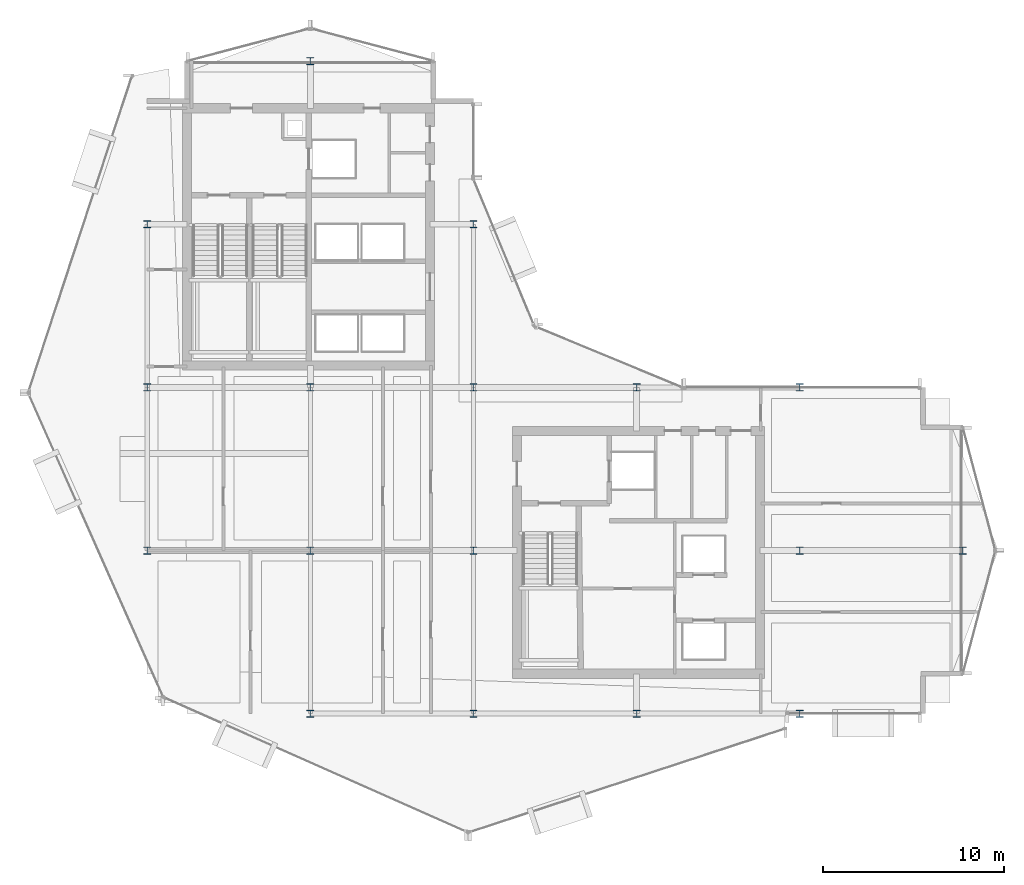
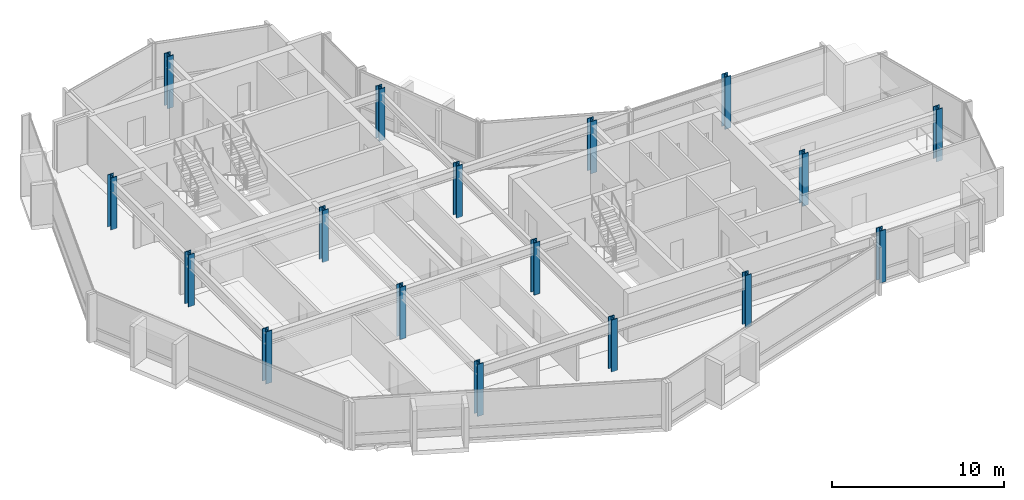
# One storey, part 1 of 27: 17 columns.
"""IFC4 building model written with IfcOpenShell, lengths in metres."""

import ifcopenshell
import ifcopenshell.guid

model = None  # the IFC model being written
_history = None  # IfcOwnerHistory: only IFC2X3 demands one
_inside = {}  # id of a spatial element -> (the spatial element, [elements in it])
_under = {}  # id of a project, library or spatial element -> (it, [spatial elements below it])
_declared = {}  # id of a project -> (the project, [libraries it declares])
_typed = {}  # id of a type object -> (the type object, [elements of that type])
_made_of = {}  # id of a material, layer set ... -> (it, [elements and type objects made of it])


def new_model(schema):
    """Start an empty IFC model of exactly this schema.

    Asked for "IFC4X3", IfcOpenShell would pick the latest addendum, in which some entities
    have other attributes; the version numbers below select the first issue.
    IFC2X3 requires an IfcOwnerHistory on every rooted entity: one is made here for all.
    """
    global model, _history
    if schema == "IFC4X3":
        model = ifcopenshell.file(schema_version=(4, 3, 0, 0))
    else:
        model = ifcopenshell.file(schema=schema)
    _inside.clear()
    _under.clear()
    _declared.clear()
    _typed.clear()
    _made_of.clear()
    _history = None
    if model.schema == "IFC2X3":
        org = make("IfcOrganization", Name="unknown")
        user = make(
            "IfcPersonAndOrganization",
            ThePerson=make("IfcPerson", FamilyName="unknown"),
            TheOrganization=org,
        )
        app = make(
            "IfcApplication",
            ApplicationDeveloper=org,
            Version="unknown",
            ApplicationFullName="unknown",
            ApplicationIdentifier="unknown",
        )
        _history = make(
            "IfcOwnerHistory",
            OwningUser=user,
            OwningApplication=app,
            ChangeAction="ADDED",
            CreationDate=0,
        )
    return model


def make(cls, **values):
    """One entity of the class cls with the attributes given. An attribute that is None is left unset."""
    return model.create_entity(
        cls, **{name: value for name, value in values.items() if value is not None}
    )


def rooted(cls, **values):
    """An entity with a GlobalId (a new one), such as an element, a storey or a relation."""
    return make(cls, GlobalId=ifcopenshell.guid.new(), OwnerHistory=_history, **values)


def si_unit(unit_type, name, prefix=None):
    """IfcSIUnit, for example si_unit("LENGTHUNIT", "METRE", prefix="MILLI")."""
    return make("IfcSIUnit", UnitType=unit_type, Prefix=prefix, Name=name)


def assignment(units):
    """IfcUnitAssignment: the units of a project."""
    return None if units is None else make("IfcUnitAssignment", Units=units)


def point(xyz):
    """IfcCartesianPoint."""
    return None if xyz is None else make("IfcCartesianPoint", Coordinates=xyz)


def direction(xyz):
    """IfcDirection."""
    return None if xyz is None else make("IfcDirection", DirectionRatios=xyz)


def frame(location, z_axis=None, x_axis=None):
    """IfcAxis2Placement3D, a coordinate frame: its origin and axes. An axis left out is left unset."""
    return make(
        "IfcAxis2Placement3D",
        Location=point(location),
        Axis=direction(z_axis),
        RefDirection=direction(x_axis),
    )


def frame_2d(location, x_axis=None):
    """IfcAxis2Placement2D, a coordinate frame in the plane: its origin and x axis."""
    return make(
        "IfcAxis2Placement2D", Location=point(location), RefDirection=direction(x_axis)
    )


def origin():
    """The frame at (0, 0, 0) with its axes left unset."""
    return frame((0.0, 0.0, 0.0))


def origin_2d():
    """The frame at (0, 0) in the plane with its x axis left unset."""
    return frame_2d((0.0, 0.0))


def place(relative_to, where):
    """IfcLocalPlacement: puts the frame where relative to a parent placement (None: the world)."""
    return make(
        "IfcLocalPlacement", PlacementRelTo=relative_to, RelativePlacement=where
    )


def context(
    kind, dimensions, precision=None, world=None, true_north=None, identifier=None
):
    """IfcGeometricRepresentationContext, for example the 3D "Model" context."""
    return make(
        "IfcGeometricRepresentationContext",
        ContextIdentifier=identifier,
        ContextType=kind,
        CoordinateSpaceDimension=dimensions,
        Precision=precision,
        WorldCoordinateSystem=world,
        TrueNorth=true_north,
    )


def subcontext(parent, identifier, kind, view, scale=None):
    """IfcGeometricRepresentationSubContext, for example "Body" below "Model"."""
    return make(
        "IfcGeometricRepresentationSubContext",
        ContextIdentifier=identifier,
        ContextType=kind,
        ParentContext=parent,
        TargetScale=scale,
        TargetView=view,
    )


def project(units=None, contexts=None):
    """IfcProject with its units and contexts."""
    return rooted(
        "IfcProject",
        Name="project",
        RepresentationContexts=contexts,
        UnitsInContext=assignment(units),
    )


def spatial(cls, under=None, at=None, **own):
    """A site, building, storey or space (cls), placed at a placement, below another one or the project."""
    s = rooted(cls, ObjectPlacement=at, **own)
    if under is not None:
        _under.setdefault(under.id(), (under, []))[1].append(s)
    return s


def profile(cls, at=None, kind="AREA", **sizes):
    """A parametric profile (cls). Its sizes go by their IFC names, for example OverallWidth=200.0."""
    return make(cls, ProfileType=kind, Position=at, **sizes)


def i_section(**sizes):
    """IfcIShapeProfileDef."""
    return profile("IfcIShapeProfileDef", **sizes)


def extrude(swept, where, along, depth):
    """IfcExtrudedAreaSolid: the profile swept, set in the frame where, extruded along a direction by depth."""
    return make(
        "IfcExtrudedAreaSolid",
        SweptArea=swept,
        Position=where,
        ExtrudedDirection=direction(along),
        Depth=depth,
    )


def shape(context_of_items, identifier, shape_type, items):
    """IfcShapeRepresentation: the items that make up one representation, for example the "Body"."""
    return make(
        "IfcShapeRepresentation",
        ContextOfItems=context_of_items,
        RepresentationIdentifier=identifier,
        RepresentationType=shape_type,
        Items=items,
    )


def material(Name=None, Category=None):
    """IfcMaterial."""
    return make("IfcMaterial", Name=Name, Category=Category)


def material_profile(
    of_material, cross_section, Name=None, Category=None, Priority=None
):
    """IfcMaterialProfile: a cross section and its material."""
    return make(
        "IfcMaterialProfile",
        Name=Name,
        Material=of_material,
        Profile=cross_section,
        Priority=Priority,
        Category=Category,
    )


def profile_set(profiles, Name=None, composite=None):
    """IfcMaterialProfileSet."""
    return make(
        "IfcMaterialProfileSet",
        Name=Name,
        MaterialProfiles=profiles,
        CompositeProfile=composite,
    )


def made_of(thing, what):
    """Note that an element or type object is made of a material, layer set ...; save() writes the relation."""
    if what is not None:
        _made_of.setdefault(what.id(), (what, []))[1].append(thing)
    return thing


def type_object(cls, material=None, **own):
    """A type object (cls), such as IfcWallType, which elements share."""
    return made_of(rooted(cls, **own), material)


def element(
    cls,
    number,
    at=None,
    inside=None,
    cuts=None,
    type_object=None,
    material=None,
    context=None,
    identifier="Body",
    shape_type=None,
    held_by="IfcProductDefinitionShape",
    body=None,
    shapes=None,
    **own,
):
    """One element of the class cls, such as IfcWall. Its Tag is "e" and its number.

    at: its placement. inside: the storey or other place that contains it. cuts: it is an
    opening in that element (IfcRelVoidsElement). A single representation is given by context,
    identifier, shape_type and body (its items); several are given by shapes. held_by: the class
    of the entity that holds the representations. save() writes the other relations.
    """
    e = rooted(cls, Tag="e%d" % number, ObjectPlacement=at, **own)
    if body is not None:
        shapes = [shape(context, identifier, shape_type, body)]
    if shapes is not None:
        e.Representation = make(held_by, Representations=shapes)
    if inside is not None:
        _inside.setdefault(inside.id(), (inside, []))[1].append(e)
    if cuts is not None:
        rooted(
            "IfcRelVoidsElement", RelatingBuildingElement=cuts, RelatedOpeningElement=e
        )
    if type_object is not None:
        _typed.setdefault(type_object.id(), (type_object, []))[1].append(e)
    return made_of(e, material)


def aggregate(whole, parts):
    """IfcRelAggregates: a whole, such as a stair, and the parts it consists of."""
    return rooted("IfcRelAggregates", RelatingObject=whole, RelatedObjects=parts)


def save(model, path):
    """Write the relations noted so far, then the file.

    IfcRelAggregates (storeys below a building ...), IfcRelContainedInSpatialStructure (elements
    in a storey), IfcRelDefinesByType, IfcRelAssociatesMaterial and IfcRelDeclares: one each for
    every whole, place, type object, material and project.
    """
    for whole, parts in _under.values():
        aggregate(whole, parts)
    for where, things in _inside.values():
        rooted(
            "IfcRelContainedInSpatialStructure",
            RelatedElements=things,
            RelatingStructure=where,
        )
    for kind, things in _typed.values():
        rooted("IfcRelDefinesByType", RelatedObjects=things, RelatingType=kind)
    for what, things in _made_of.values():
        rooted("IfcRelAssociatesMaterial", RelatedObjects=things, RelatingMaterial=what)
    for by, libraries in _declared.values():
        rooted("IfcRelDeclares", RelatingContext=by, RelatedDefinitions=libraries)
    model.write(path)


model = new_model("IFC4")

# Units and contexts
model_context = context("Model", 3, precision=1e-05, world=origin(), true_north=direction((0.0, 1.0)))
body_context = subcontext(model_context, "Body", "Model", "MODEL_VIEW")
ifc_project = project(units=[si_unit("LENGTHUNIT", "METRE"), si_unit("AREAUNIT", "SQUARE_METRE"), si_unit("VOLUMEUNIT", "CUBIC_METRE"), si_unit("PLANEANGLEUNIT", "RADIAN"), si_unit("MASSUNIT", "GRAM", prefix="KILO")], contexts=[model_context])

# Site, building, storey
site_placement = place(None, origin())
site = spatial("IfcSite", under=ifc_project, at=site_placement, CompositionType="ELEMENT")
building_placement = place(site_placement, origin())
building = spatial("IfcBuilding", under=site, at=building_placement, Name="Solvaryn Broadcast Tower", CompositionType="ELEMENT")
storey_placement = place(building_placement, frame((0.0, 0.0, 189.0)))
storey = spatial("IfcBuildingStorey", under=building, at=storey_placement, Name="L47", CompositionType="ELEMENT", Elevation=189.0)

# Columns
ifc_material_1 = material(Name="Steel ASTM A913 Grade 65", Category="steel")
ifc_material_profile_1 = material_profile(ifc_material_1, i_section(OverallWidth=0.406005859375, OverallDepth=0.416015625, WebThickness=0.02978515625, FlangeThickness=0.048095703125, FilletRadius=0.014892578125, at=origin_2d()))
ifc_profile_set_1 = profile_set([ifc_material_profile_1], Name="Steel ASTM A913 Grade 65")
column_type_1 = type_object("IfcColumnType", Name="COL-C07E-W14X257", PredefinedType="COLUMN", material=ifc_profile_set_1)
for number, where, z_axis, x_axis, name in (
    (1, (9.0, 18.0, 0.0), (0.0, 0.0, 1.0), (1.0, 0.0, 0.0), "L47 Column (9.0, 18.0)"),
    (2, (9.0, 27.0, 0.0), (0.0, 0.0, 1.0), (1.0, 0.0, 0.0), "L47 Column (9.0, 27.0)"),
    (3, (9.0, 36.0, 0.0), (0.0, 0.0, 1.0), (1.0, 0.0, 0.0), "L47 Column (9.0, 36.0)"),
    (4, (18.0, 9.0, 0.0), (0.0, 0.0, 1.0), (1.0, 0.0, 0.0), "L47 Column (18.0, 9.0)"),
    (5, (18.0, 45.0, 0.0), (0.0, 0.0, 1.0), (1.0, 0.0, 0.0), "L47 Column (18.0, 45.0)"),
    (6, (27.0, 9.0, 0.0), (0.0, 0.0, 1.0), (1.0, 0.0, 0.0), "L47 Column (27.0, 9.0)"),
    (7, (27.0, 36.0, 0.0), (0.0, 0.0, 1.0), (1.0, 0.0, 0.0), "L47 Column (27.0, 36.0)"),
    (8, (36.0, 9.0, 0.0), (0.0, 0.0, 1.0), (1.0, 0.0, 0.0), "L47 Column (36.0, 9.0)"),
    (9, (36.0, 27.0, 0.0), (0.0, 0.0, 1.0), (1.0, 0.0, 0.0), "L47 Column (36.0, 27.0)"),
    (10, (45.0, 9.0, 0.0), (0.0, 0.0, 1.0), (1.0, 0.0, 0.0), "L47 Column (45.0, 9.0)"),
    (11, (45.0, 27.0, 0.0), (0.0, 0.0, 1.0), (1.0, 0.0, 0.0), "L47 Column (45.0, 27.0)"),
    (12, (54.0, 18.0, 0.0), (0.0, 0.0, 1.0), (1.0, 0.0, 0.0), "L47 Column (54.0, 18.0)"),
):
    element("IfcColumn", number, at=place(storey_placement, frame(where, z_axis=z_axis, x_axis=x_axis)), inside=storey, type_object=column_type_1, Name=name, PredefinedType="COLUMN", context=body_context, shape_type="SweptSolid", body=[
        extrude(i_section(OverallWidth=0.406005859375, OverallDepth=0.416015625, WebThickness=0.02978515625, FlangeThickness=0.048095703125, FilletRadius=0.014892578125, at=origin_2d()), origin(), (0.0, 0.0, 1.0), 3.699951171875),
    ])
ifc_material_2 = material(Name="Steel ASTM A913 Grade 65", Category="steel")
ifc_material_profile_2 = material_profile(ifc_material_2, i_section(OverallWidth=0.406005859375, OverallDepth=0.416015625, WebThickness=0.02978515625, FlangeThickness=0.048095703125, FilletRadius=0.014892578125, at=origin_2d()))
ifc_profile_set_2 = profile_set([ifc_material_profile_2], Name="Steel ASTM A913 Grade 65")
column_type_2 = type_object("IfcColumnType", Name="COL-C07I-W14X257", PredefinedType="COLUMN", material=ifc_profile_set_2)
for number, where, z_axis, x_axis, name in (
    (13, (18.0, 18.0, 0.0), (0.0, 0.0, 1.0), (1.0, 0.0, 0.0), "L47 Column (18.0, 18.0)"),
    (14, (18.0, 27.0, 0.0), (0.0, 0.0, 1.0), (1.0, 0.0, 0.0), "L47 Column (18.0, 27.0)"),
    (15, (27.0, 18.0, 0.0), (0.0, 0.0, 1.0), (1.0, 0.0, 0.0), "L47 Column (27.0, 18.0)"),
    (16, (27.0, 27.0, 0.0), (0.0, 0.0, 1.0), (1.0, 0.0, 0.0), "L47 Column (27.0, 27.0)"),
    (17, (45.0, 18.0, 0.0), (0.0, 0.0, 1.0), (1.0, 0.0, 0.0), "L47 Column (45.0, 18.0)"),
):
    element("IfcColumn", number, at=place(storey_placement, frame(where, z_axis=z_axis, x_axis=x_axis)), inside=storey, type_object=column_type_2, Name=name, PredefinedType="COLUMN", context=body_context, shape_type="SweptSolid", body=[
        extrude(i_section(OverallWidth=0.406005859375, OverallDepth=0.416015625, WebThickness=0.02978515625, FlangeThickness=0.048095703125, FilletRadius=0.014892578125, at=origin_2d()), origin(), (0.0, 0.0, 1.0), 3.699951171875),
    ])

save(model, "model.ifc")
